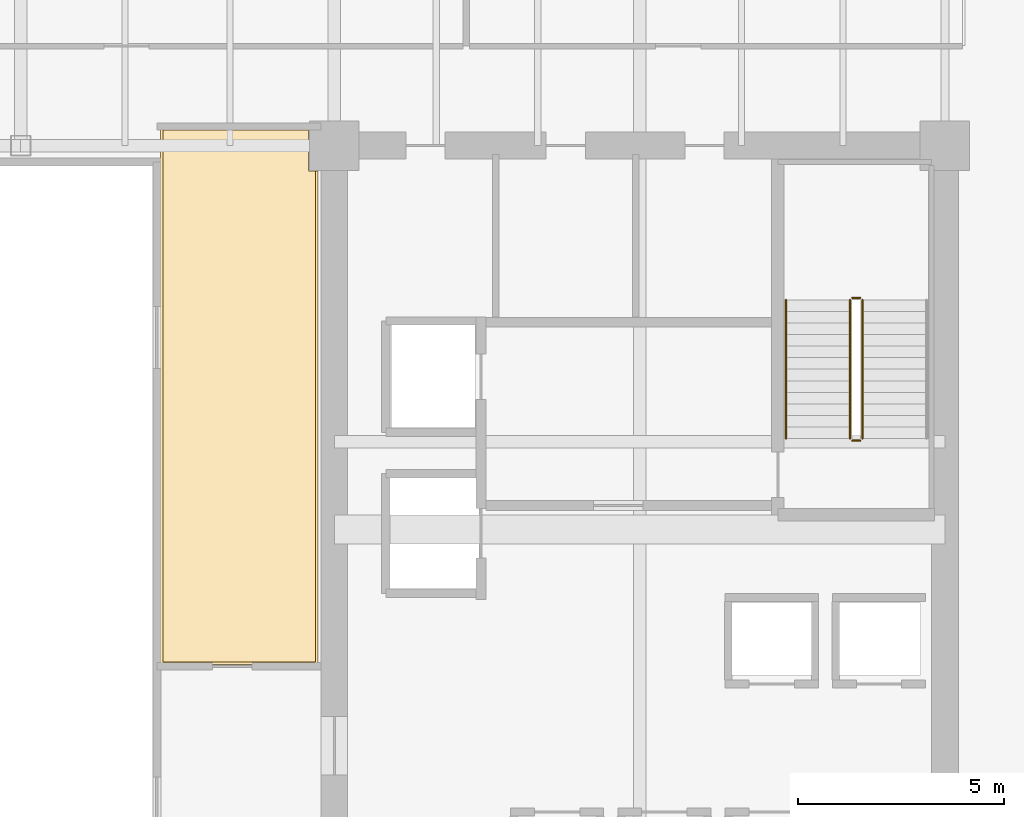
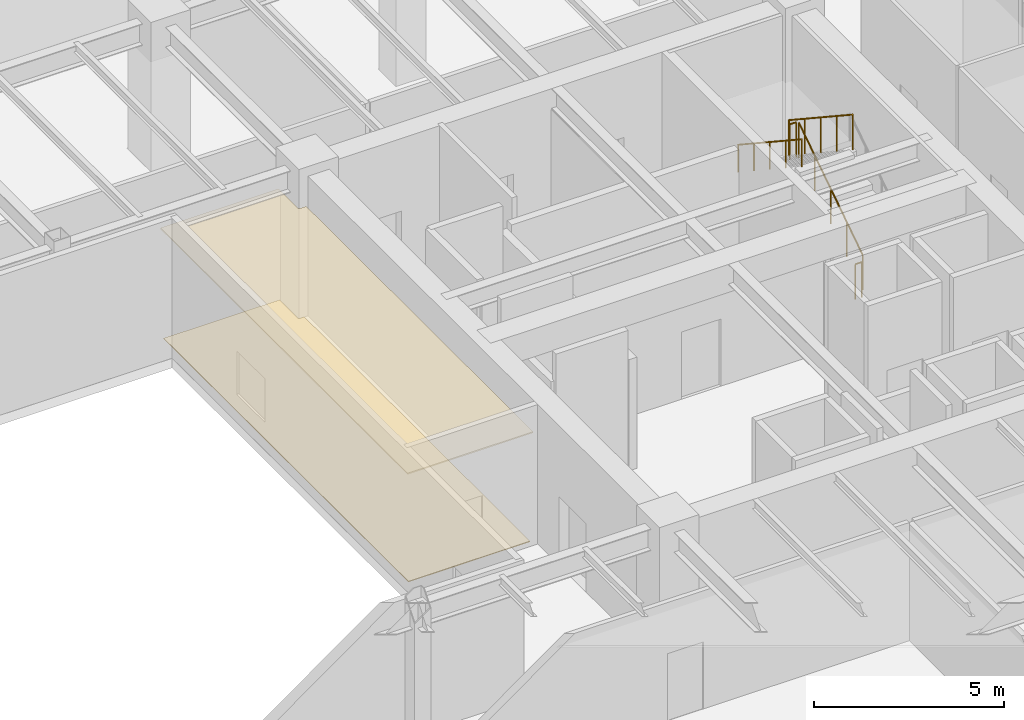
# One storey, part 32 of 33: 5 railings, 2 coverings.
"""IFC4 building model written with IfcOpenShell, lengths in metres."""

from ifc_helpers import new_model, si_unit, direction, frame, origin, origin_2d, place, context, subcontext, project, spatial, polyline, circle, outline, extrude, source, transform, mapped, material, layer, layer_set, type_object, type_shapes, element, save


model = new_model("IFC4")

# Units and contexts
model_context = context("Model", 3, precision=1e-05, world=origin(), true_north=direction((0.0, 1.0)))
body_context = subcontext(model_context, "Body", "Model", "MODEL_VIEW")
ifc_project = project(units=[si_unit("LENGTHUNIT", "METRE"), si_unit("AREAUNIT", "SQUARE_METRE"), si_unit("VOLUMEUNIT", "CUBIC_METRE"), si_unit("PLANEANGLEUNIT", "RADIAN"), si_unit("MASSUNIT", "GRAM", prefix="KILO")], contexts=[model_context])

# Site, building, storey
site_placement = place(None, origin())
site = spatial("IfcSite", under=ifc_project, at=site_placement, CompositionType="ELEMENT")
building_placement = place(site_placement, origin())
building = spatial("IfcBuilding", under=site, at=building_placement, Name="Haelvirn Gate Laboratories", CompositionType="ELEMENT")
storey_placement = place(building_placement, frame((0.0, 0.0, 100.300048828125)))
storey = spatial("IfcBuildingStorey", under=building, at=storey_placement, Name="L24", CompositionType="ELEMENT", Elevation=100.300048828125)

# Coverings
ifc_material_1 = material(Name="Micro-perforated acoustic mineral-fibre laboratory ceiling")
ifc_layer_1 = layer(ifc_material_1, 0.0400390625, Name="COV-CEIL-ACT")
ifc_layer_set_1 = layer_set([ifc_layer_1], Name="Micro-perforated acoustic mineral-fibre laboratory ceiling")
covering_type_1 = type_object("IfcCoveringType", Name="COV-CEIL-ACT", PredefinedType="CEILING", material=ifc_layer_set_1)
covering_1_placement = place(storey_placement, frame((0.0, 0.0, 3.52001953125)))
element("IfcCovering", 1, at=covering_1_placement, inside=storey, type_object=covering_type_1, Name="L24 Laboratory Acoustic Ceiling CEIL-SP-L24-ATRIUM-SEM", PredefinedType="CEILING", context=body_context, shape_type="SweptSolid", body=[
    extrude(outline(polyline([(52.2099609375, 21.219970703125), (48.389892578125, 21.219970703125), (48.389892578125, 34.239990234375), (51.97998046875, 34.239990234375), (51.97998046875, 33.179931640625), (52.2099609375, 33.179931640625), (52.2099609375, 21.219970703125)])), origin(), (0.0, 0.0, 1.0), 0.0400390625),
])
ifc_material_2 = material(Name="Honed granite concourse terrazzo flooring", Category="masonry")
ifc_layer_2 = layer(ifc_material_2, 0.02490234375, Name="COV-FLR-TERRA")
ifc_layer_set_2 = layer_set([ifc_layer_2], Name="Honed granite concourse terrazzo flooring")
covering_type_2 = type_object("IfcCoveringType", Name="COV-FLR-TERRA", PredefinedType="FLOORING", material=ifc_layer_set_2)
covering_2_placement = place(storey_placement, origin())
element("IfcCovering", 2, at=covering_2_placement, inside=storey, type_object=covering_type_2, Name="L24 Seamless Laboratory Flooring FLR-SP-L24-ATRIUM-SEM", PredefinedType="FLOORING", context=body_context, shape_type="SweptSolid", body=[
    extrude(outline(polyline([(51.97998046875, 34.179931640625), (51.97998046875, 33.179931640625), (52.14990234375, 33.179931640625), (52.14990234375, 21.280029296875), (48.449951171875, 21.280029296875), (48.449951171875, 34.179931640625), (51.97998046875, 34.179931640625)])), origin(), (0.0, 0.0, 1.0), 0.02490234375),
])

# Railings
ifc_material_3 = material(Name="Galvanised steel SM355 & stainless top rail", Category="steel")
railing_type_1 = type_object("IfcRailingType", Name="RL-GUARD-1150", PredefinedType="GUARDRAIL", material=ifc_material_3)
shared_shape_1 = source(origin(), body_context, "Body", "SweptSolid", [
    extrude(circle(Radius=0.02392578125, at=origin_2d()), frame((0.0, 0.0, 1.1259765625), z_axis=(0.0, 0.834876476806, 0.550437342915), x_axis=(-1.0, 0.0, 0.0)), (0.0, 0.0, 1.0), 4.024658203125),
    extrude(circle(Radius=0.02099609375, at=origin_2d()), origin(), (0.0, 0.0, 1.0), 1.101806640625),
    extrude(circle(Radius=0.02099609375, at=origin_2d()), frame((0.0, 0.840087890625, 0.5537109375)), (0.0, 0.0, 1.0), 1.101806640625),
    extrude(circle(Radius=0.02099609375, at=origin_2d()), frame((0.0, 1.68017578125, 1.107666015625)), (0.0, 0.0, 1.0), 1.101806640625),
    extrude(circle(Radius=0.02099609375, at=origin_2d()), frame((0.0, 2.52001953125, 1.66162109375)), (0.0, 0.0, 1.0), 1.101806640625),
    extrude(circle(Radius=0.02099609375, at=origin_2d()), frame((0.0, 3.360107421875, 2.21533203125)), (0.0, 0.0, 1.0), 1.101806640625),
])
railing_1_placement = place(storey_placement, frame((65.39990234375, 26.699951171875, 0.1845703125)))
element("IfcRailing", 3, at=railing_1_placement, inside=storey, type_object=railing_type_1, Name="L24 ST2 stair guard 1", PredefinedType="GUARDRAIL", context=body_context, shape_type="MappedRepresentation", body=[
    mapped(shared_shape_1, transform((0.0, 0.0, 0.0), scale=1.0)),
])
shared_shape_2 = source(origin(), body_context, "Body", "SweptSolid", [
    extrude(circle(Radius=0.02392578125, at=origin_2d()), frame((0.0, 0.0, 1.1259765625), z_axis=(0.0, -0.834848600103, 0.550479622607), x_axis=(1.0, 0.0, 0.0)), (0.0, 0.0, 1.0), 4.02490234375),
    extrude(circle(Radius=0.02099609375, at=origin_2d()), origin(), (0.0, 0.0, 1.0), 1.101806640625),
    extrude(circle(Radius=0.02099609375, at=origin_2d()), frame((0.0, -0.840087890625, 0.553955078125)), (0.0, 0.0, 1.0), 1.101806640625),
    extrude(circle(Radius=0.02099609375, at=origin_2d()), frame((0.0, -1.68017578125, 1.10791015625)), (0.0, 0.0, 1.0), 1.101806640625),
    extrude(circle(Radius=0.02099609375, at=origin_2d()), frame((0.0, -2.52001953125, 1.66162109375)), (0.0, 0.0, 1.0), 1.101806640625),
    extrude(circle(Radius=0.02099609375, at=origin_2d()), frame((0.0, -3.360107421875, 2.215576171875)), (0.0, 0.0, 1.0), 1.101806640625),
])
railing_2_placement = place(storey_placement, frame((65.10009765625, 30.06005859375, 2.58447265625)))
element("IfcRailing", 4, at=railing_2_placement, inside=storey, type_object=railing_type_1, Name="L24 ST2 stair guard 3", PredefinedType="GUARDRAIL", context=body_context, shape_type="MappedRepresentation", body=[
    mapped(shared_shape_2, transform((0.0, 0.0, 0.0), scale=1.0)),
])
ifc_material_4 = material(Name="Brushed stainless steel 316L", Category="steel")
railing_type_2 = type_object("IfcRailingType", Name="RL-HAND-920", PredefinedType="HANDRAIL", material=ifc_material_4)
shared_shape_3 = source(origin(), body_context, "Body", "SweptSolid", [
    extrude(circle(Radius=0.02392578125, at=origin_2d()), frame((0.0, 0.0, 0.8759765625), z_axis=(0.0, -0.834848600103, 0.550479622607), x_axis=(1.0, 0.0, 0.0)), (0.0, 0.0, 1.0), 4.02490234375),
    extrude(circle(Radius=0.02099609375, at=origin_2d()), origin(), (0.0, 0.0, 1.0), 0.851806640625),
    extrude(circle(Radius=0.02099609375, at=origin_2d()), frame((0.0, -0.840087890625, 0.553955078125)), (0.0, 0.0, 1.0), 0.851806640625),
    extrude(circle(Radius=0.02099609375, at=origin_2d()), frame((0.0, -1.68017578125, 1.10791015625)), (0.0, 0.0, 1.0), 0.851806640625),
    extrude(circle(Radius=0.02099609375, at=origin_2d()), frame((0.0, -2.52001953125, 1.66162109375)), (0.0, 0.0, 1.0), 0.851806640625),
    extrude(circle(Radius=0.02099609375, at=origin_2d()), frame((0.0, -3.360107421875, 2.215576171875)), (0.0, 0.0, 1.0), 0.851806640625),
])
type_shapes(railing_type_2, [shared_shape_3])
railing_3_placement = place(storey_placement, frame((63.550048828125, 30.06005859375, 2.58447265625)))
element("IfcRailing", 5, at=railing_3_placement, inside=storey, type_object=railing_type_2, Name="L24 ST2 stair handrail 2", PredefinedType="HANDRAIL", context=body_context, shape_type="MappedRepresentation", body=[
    mapped(shared_shape_3, transform((0.0, 0.0, 0.0), scale=1.0)),
])
shared_shape_4 = source(origin(), body_context, "Body", "SweptSolid", [
    extrude(circle(Radius=0.02392578125, at=origin_2d()), frame((0.0, 0.0, 1.1259765625), z_axis=(-1.0, 0.0, 0.0), x_axis=(0.0, -1.0, 0.0)), (0.0, 0.0, 1.0), 0.2001953125),
    extrude(circle(Radius=0.02099609375, at=origin_2d()), origin(), (0.0, 0.0, 1.0), 1.101806640625),
    extrude(circle(Radius=0.02099609375, at=origin_2d()), frame((-0.2001953125, 0.0, 0.0)), (0.0, 0.0, 1.0), 1.101806640625),
])
type_shapes(railing_type_1, [shared_shape_1, shared_shape_2, shared_shape_4])
for number, where, name in (
    (6, (65.35009765625, 30.110107421875, 2.39990234375), "L24 ST2 stair guard 2"),
    (7, (65.35009765625, 26.64990234375, 0.0), "L24 ST2 stair guard 4"),
):
    element("IfcRailing", number, at=place(storey_placement, frame(where)), inside=storey, type_object=railing_type_1, Name=name, PredefinedType="GUARDRAIL", context=body_context, shape_type="MappedRepresentation", body=[
        mapped(shared_shape_4, transform((0.0, 0.0, 0.0), scale=1.0)),
    ])

save(model, "model.ifc")
